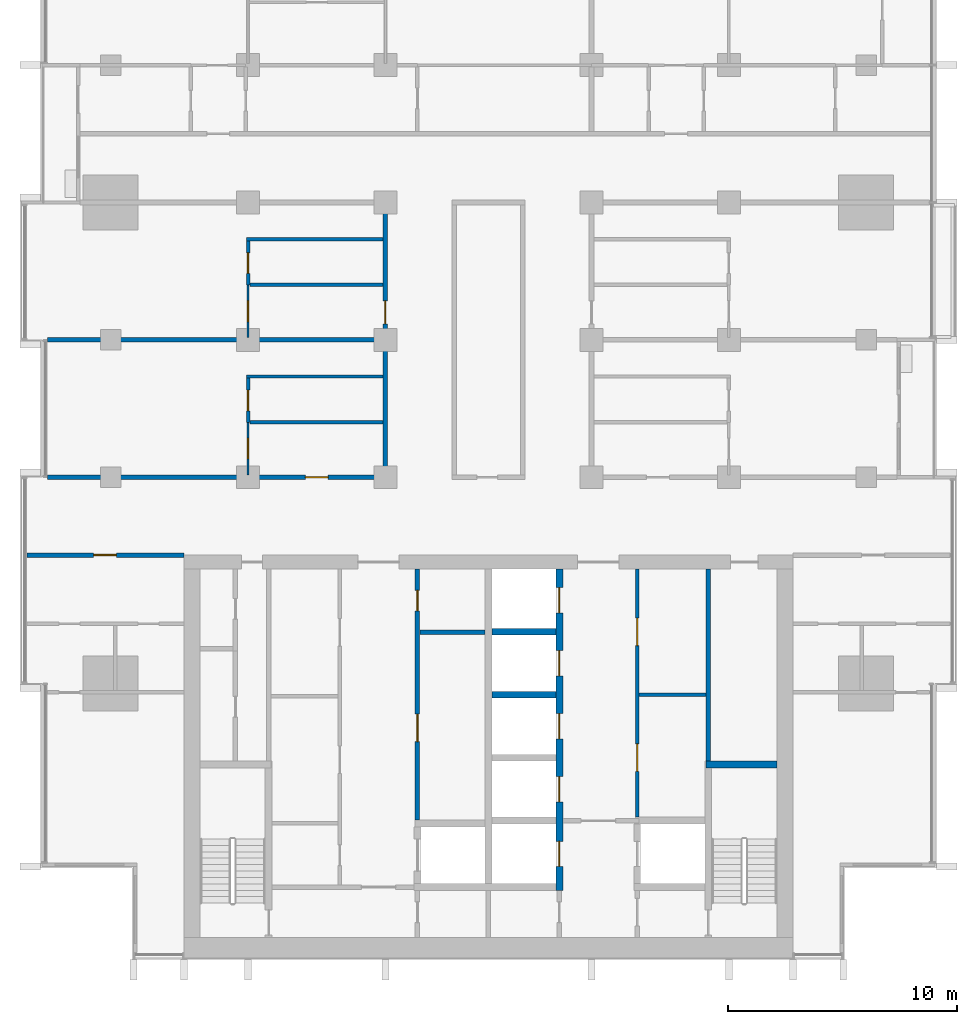
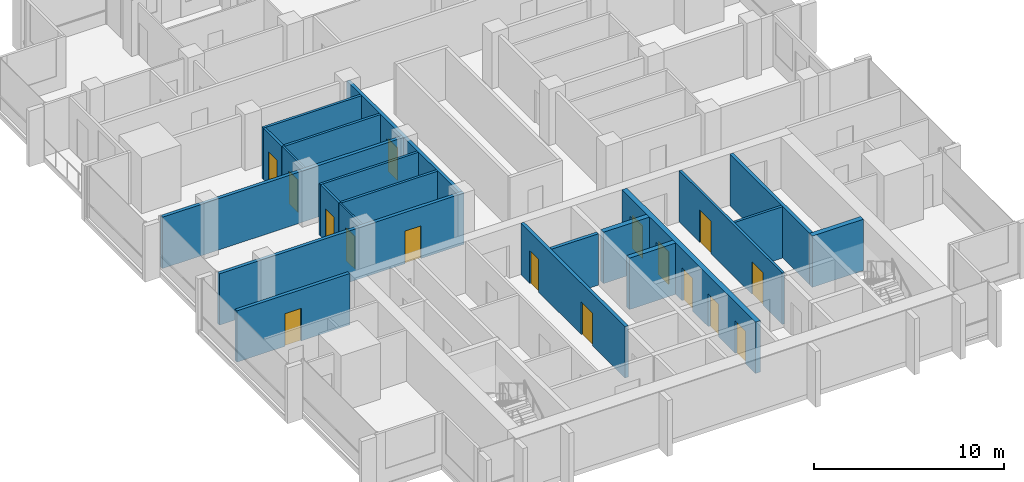
# One storey, part 8 of 16: 21 walls, 16 doors, 16 openings.
"""IFC4 building model written with IfcOpenShell, lengths in metres."""

from ifc_helpers import new_model, si_unit, direction, frame, frame_2d, origin, place, context, subcontext, project, spatial, rectangle, extrude, material, layer, layer_set, type_object, element, fill, save


model = new_model("IFC4")

# Units and contexts
model_context = context("Model", 3, precision=1e-05, world=origin(), true_north=direction((0.0, 1.0)))
body_context = subcontext(model_context, "Body", "Model", "MODEL_VIEW")
ifc_project = project(units=[si_unit("LENGTHUNIT", "METRE"), si_unit("AREAUNIT", "SQUARE_METRE"), si_unit("VOLUMEUNIT", "CUBIC_METRE"), si_unit("PLANEANGLEUNIT", "RADIAN"), si_unit("MASSUNIT", "GRAM", prefix="KILO")], contexts=[model_context])

# Site, building, storey
site_placement = place(None, origin())
site = spatial("IfcSite", under=ifc_project, at=site_placement, CompositionType="ELEMENT")
building_placement = place(site_placement, origin())
building = spatial("IfcBuilding", under=site, at=building_placement, Name="Finial Court Residences", CompositionType="ELEMENT")
storey_placement = place(building_placement, frame((0.0, 0.0, 163.699951171875)))
storey = spatial("IfcBuildingStorey", under=building, at=storey_placement, Name="L40", CompositionType="ELEMENT", Elevation=163.699951171875)

# Walls
ifc_material_1 = material(Name="Gypsum board")
ifc_layer_1 = layer(ifc_material_1, 0.02490234375)
ifc_material_2 = material(Name="Acoustic mineral wool in double frame")
ifc_layer_2 = layer(ifc_material_2, 0.14990234375)
ifc_layer_3 = layer(ifc_material_1, 0.02490234375)
ifc_layer_set_1 = layer_set([ifc_layer_1, ifc_layer_2, ifc_layer_3], Name="Acoustic party wall 200, 1 hour")
wall_type_1 = type_object("IfcWallType", Name="Acoustic party wall 200, 1 hour", PredefinedType="PARTITIONING", material=ifc_layer_set_1)
wall_1_placement = place(storey_placement, frame((-19.262451171875, 1.5, 0.0), z_axis=(0.0, 0.0, 1.0), x_axis=(1.0, 0.0, 0.0)))
element("IfcWall", 1, at=wall_1_placement, inside=storey, type_object=wall_type_1, Name="Partition L40-013", PredefinedType="PARTITIONING", context=body_context, shape_type="SweptSolid", body=[
    extrude(rectangle(XDim=14.662353515625, YDim=0.199951171875, at=frame_2d((7.3310546875, 0.0))), origin(), (0.0, 0.0, 1.0), 3.300048828125),
])
ifc_material_3 = material(Name="Fire-rated gypsum board partition")
ifc_layer_4 = layer(ifc_material_3, 0.14990234375)
ifc_layer_set_2 = layer_set([ifc_layer_4], Name="Core room partition 150 EI 60")
wall_type_2 = type_object("IfcWallType", Name="Core room partition 150 EI 60", PredefinedType="PARTITIONING", material=ifc_layer_set_2)
wall_2_placement = place(storey_placement, frame((6.574951171875, -14.0, 0.0), z_axis=(0.0, 0.0, 1.0), x_axis=(1.0, 0.0, 0.0)))
element("IfcWall", 2, at=wall_2_placement, inside=storey, type_object=wall_type_2, Name="Core partition L40-14", PredefinedType="PARTITIONING", context=body_context, shape_type="SweptSolid", body=[
    extrude(rectangle(XDim=2.925048828125, YDim=0.14990234375, at=frame_2d((1.46240234375, 0.0))), origin(), (0.0, 0.0, 1.0), 3.300048828125),
])

# Wall, openings, doors
wall_3_placement = place(storey_placement, frame((6.5, -8.5, 0.0), z_axis=(0.0, 0.0, 1.0), x_axis=(0.0, -1.0, 0.0)))
wall_3 = element("IfcWall", 3, at=wall_3_placement, inside=storey, type_object=wall_type_2, Name="Core partition L40-32", PredefinedType="PARTITIONING", context=body_context, shape_type="SweptSolid", body=[
    extrude(rectangle(XDim=10.85009765625, YDim=0.14990234375, at=frame_2d((5.425048828125, 0.0))), origin(), (0.0, 0.0, 1.0), 3.300048828125),
])
opening_1_placement = place(wall_3_placement, frame((7.64990234375, 0.0, 0.0)))
opening_1 = element("IfcOpeningElement", 4, at=opening_1_placement, cuts=wall_3, Name="Opening L40-C17", PredefinedType="OPENING", context=body_context, shape_type="SweptSolid", body=[
    extrude(rectangle(XDim=1.199951171875, YDim=2.10009765625, at=frame_2d((0.60009765625, 1.050048828125))), frame((0.0, 0.0849609375, 0.0), z_axis=(0.0, -1.0, 0.0), x_axis=(1.0, 0.0, 0.0)), (0.0, 0.0, 1.0), 0.169921875),
])
opening_2_placement = place(wall_3_placement, frame((2.14990234375, 0.0, 0.0)))
opening_2 = element("IfcOpeningElement", 5, at=opening_2_placement, cuts=wall_3, Name="Opening L40-C18", PredefinedType="OPENING", context=body_context, shape_type="SweptSolid", body=[
    extrude(rectangle(XDim=1.199951171875, YDim=2.10009765625, at=frame_2d((0.60009765625, 1.050048828125))), frame((0.0, 0.0849609375, 0.0), z_axis=(0.0, -1.0, 0.0), x_axis=(1.0, 0.0, 0.0)), (0.0, 0.0, 1.0), 0.169921875),
])
ifc_material_4 = material(Name="Steel fire door", Category="steel")
door_type_1 = type_object("IfcDoorType", Name="Core room door 1200 x 2100 EI 60", OperationType="NOTDEFINED", PredefinedType="DOOR", material=ifc_material_4)
door_1_placement = place(opening_1_placement, origin())
door_1 = element("IfcDoor", 6, at=door_1_placement, inside=storey, type_object=door_type_1, Name="Core room door L40-C17", OperationType="SINGLE_SWING_RIGHT", OverallHeight=2.10009765625, OverallWidth=1.199951171875, PredefinedType="DOOR", context=body_context, shape_type="SweptSolid", body=[
    extrude(rectangle(XDim=1.199951171875, YDim=2.10009765625, at=frame_2d((0.60009765625, 1.050048828125))), frame((0.0, 0.02490234375, 0.0), z_axis=(0.0, -1.0, 0.0), x_axis=(1.0, 0.0, 0.0)), (0.0, 0.0, 1.0), 0.050048828125),
])
fill(opening_1, door_1)
door_2_placement = place(opening_2_placement, origin())
door_2 = element("IfcDoor", 7, at=door_2_placement, inside=storey, type_object=door_type_1, Name="Core room door L40-C18", OperationType="SINGLE_SWING_RIGHT", OverallHeight=2.10009765625, OverallWidth=1.199951171875, PredefinedType="DOOR", context=body_context, shape_type="SweptSolid", body=[
    extrude(rectangle(XDim=1.199951171875, YDim=2.10009765625, at=frame_2d((0.60009765625, 1.050048828125))), frame((0.0, 0.02490234375, 0.0), z_axis=(0.0, -1.0, 0.0), x_axis=(1.0, 0.0, 0.0)), (0.0, 0.0, 1.0), 0.050048828125),
])
fill(opening_2, door_2)

# Wall, opening, door
ifc_layer_5 = layer(ifc_material_1, 0.02490234375)
ifc_layer_6 = layer(ifc_material_2, 0.14990234375)
ifc_layer_7 = layer(ifc_material_1, 0.02490234375)
ifc_layer_set_3 = layer_set([ifc_layer_5, ifc_layer_6, ifc_layer_7], Name="Corridor wall 200, 1 hour")
wall_type_3 = type_object("IfcWallType", Name="Corridor wall 200, 1 hour", PredefinedType="PARTITIONING", material=ifc_layer_set_3)
wall_4_placement = place(storey_placement, frame((-20.16259765625, -7.89990234375, 0.0), z_axis=(0.0, 0.0, 1.0), x_axis=(1.0, 0.0, 0.0)))
wall_4 = element("IfcWall", 8, at=wall_4_placement, inside=storey, type_object=wall_type_3, Name="Partition L40-004", PredefinedType="PARTITIONING", context=body_context, shape_type="SweptSolid", body=[
    extrude(rectangle(XDim=6.862548828125, YDim=0.199951171875, at=frame_2d((3.43115234375, 0.0))), origin(), (0.0, 0.0, 1.0), 3.300048828125),
])
opening_3_placement = place(wall_4_placement, frame((2.9130859375, 0.0, 0.0)))
opening_3 = element("IfcOpeningElement", 9, at=opening_3_placement, cuts=wall_4, Name="Opening L40-D007", PredefinedType="OPENING", context=body_context, shape_type="SweptSolid", body=[
    extrude(rectangle(XDim=1.0, YDim=2.10009765625, at=frame_2d((0.5, 1.050048828125))), frame((0.0, 0.10986328125, 0.0), z_axis=(0.0, -1.0, 0.0), x_axis=(1.0, 0.0, 0.0)), (0.0, 0.0, 1.0), 0.219970703125),
])
ifc_material_5 = material(Name="Timber door leaf in hollow metal frame", Category="wood")
door_type_2 = type_object("IfcDoorType", Name="Fire door set 1000 x 2100, 30 minutes", OperationType="SINGLE_SWING_LEFT", PredefinedType="DOOR", material=ifc_material_5)
door_3_placement = place(opening_3_placement, origin())
door_3 = element("IfcDoor", 10, at=door_3_placement, inside=storey, type_object=door_type_2, Name="Door L40-D007", OperationType="SINGLE_SWING_RIGHT", OverallHeight=2.10009765625, OverallWidth=1.0, PredefinedType="DOOR", context=body_context, shape_type="SweptSolid", body=[
    extrude(rectangle(XDim=1.0, YDim=2.10009765625, at=frame_2d((0.5, 1.050048828125))), frame((0.0, 0.02490234375, 0.0), z_axis=(0.0, -1.0, 0.0), x_axis=(1.0, 0.0, 0.0)), (0.0, 0.0, 1.0), 0.050048828125),
])
fill(opening_3, door_3)

wall_5_placement = place(storey_placement, frame((-19.262451171875, -4.5, 0.0), z_axis=(0.0, 0.0, 1.0), x_axis=(1.0, 0.0, 0.0)))
wall_5 = element("IfcWall", 11, at=wall_5_placement, inside=storey, type_object=wall_type_3, Name="Partition L40-006", PredefinedType="PARTITIONING", context=body_context, shape_type="SweptSolid", body=[
    extrude(rectangle(XDim=14.862548828125, YDim=0.199951171875, at=frame_2d((7.43115234375, 0.0))), origin(), (0.0, 0.0, 1.0), 3.300048828125),
])
opening_4_placement = place(wall_5_placement, frame((11.261962890625, 0.0, 0.0)))
opening_4 = element("IfcOpeningElement", 12, at=opening_4_placement, cuts=wall_5, Name="Opening L40-D009", PredefinedType="OPENING", context=body_context, shape_type="SweptSolid", body=[
    extrude(rectangle(XDim=1.0, YDim=2.10009765625, at=frame_2d((0.5, 1.050048828125))), frame((0.0, 0.10986328125, 0.0), z_axis=(0.0, -1.0, 0.0), x_axis=(1.0, 0.0, 0.0)), (0.0, 0.0, 1.0), 0.219970703125),
])
door_4_placement = place(opening_4_placement, origin())
door_4 = element("IfcDoor", 13, at=door_4_placement, inside=storey, type_object=door_type_2, Name="Door L40-D009", OperationType="SINGLE_SWING_LEFT", OverallHeight=2.10009765625, OverallWidth=1.0, PredefinedType="DOOR", context=body_context, shape_type="SweptSolid", body=[
    extrude(rectangle(XDim=1.0, YDim=2.10009765625, at=frame_2d((0.5, 1.050048828125))), frame((0.0, 0.02490234375, 0.0), z_axis=(0.0, -1.0, 0.0), x_axis=(1.0, 0.0, 0.0)), (0.0, 0.0, 1.0), 0.050048828125),
])
fill(opening_4, door_4)

wall_6_placement = place(storey_placement, frame((-4.5, -4.39990234375, 0.0), z_axis=(0.0, 0.0, 1.0), x_axis=(0.0, 1.0, 0.0)))
wall_6 = element("IfcWall", 14, at=wall_6_placement, inside=storey, type_object=wall_type_3, Name="Partition L40-042", PredefinedType="PARTITIONING", context=body_context, shape_type="SweptSolid", body=[
    extrude(rectangle(XDim=11.7998046875, YDim=0.199951171875, at=frame_2d((5.89990234375, 0.0))), origin(), (0.0, 0.0, 1.0), 3.300048828125),
])
opening_5_placement = place(wall_6_placement, frame((6.60009765625, 0.0, 0.0)))
opening_5 = element("IfcOpeningElement", 15, at=opening_5_placement, cuts=wall_6, Name="Opening L40-D025", PredefinedType="OPENING", context=body_context, shape_type="SweptSolid", body=[
    extrude(rectangle(XDim=1.0, YDim=2.10009765625, at=frame_2d((0.5, 1.050048828125))), frame((0.0, 0.10986328125, 0.0), z_axis=(0.0, -1.0, 0.0), x_axis=(1.0, 0.0, 0.0)), (0.0, 0.0, 1.0), 0.219970703125),
])
door_5_placement = place(opening_5_placement, origin())
door_5 = element("IfcDoor", 16, at=door_5_placement, inside=storey, type_object=door_type_2, Name="Door L40-D025", OperationType="SINGLE_SWING_LEFT", OverallHeight=2.10009765625, OverallWidth=1.0, PredefinedType="DOOR", context=body_context, shape_type="SweptSolid", body=[
    extrude(rectangle(XDim=1.0, YDim=2.10009765625, at=frame_2d((0.5, 1.050048828125))), frame((0.0, 0.02490234375, 0.0), z_axis=(0.0, -1.0, 0.0), x_axis=(1.0, 0.0, 0.0)), (0.0, 0.0, 1.0), 0.050048828125),
])
fill(opening_5, door_5)

ifc_layer_8 = layer(ifc_material_1, 0.012451171875)
ifc_material_6 = material(Name="Mineral wool in light-gauge frame")
ifc_layer_9 = layer(ifc_material_6, 0.074951171875)
ifc_layer_10 = layer(ifc_material_1, 0.012451171875)
ifc_layer_set_4 = layer_set([ifc_layer_8, ifc_layer_9, ifc_layer_10], Name="Gypsum board partition 100")
wall_type_4 = type_object("IfcWallType", Name="Gypsum board partition 100", PredefinedType="PARTITIONING", material=ifc_layer_set_4)
wall_7_placement = place(storey_placement, frame((-10.5, -4.39990234375, 0.0), z_axis=(0.0, 0.0, 1.0), x_axis=(0.0, 1.0, 0.0)))
wall_7 = element("IfcWall", 17, at=wall_7_placement, inside=storey, type_object=wall_type_4, Name="Partition L40-037", PredefinedType="PARTITIONING", context=body_context, shape_type="SweptSolid", body=[
    extrude(rectangle(XDim=2.2998046875, YDim=0.10009765625, at=frame_2d((1.14990234375, 0.0))), origin(), (0.0, 0.0, 1.0), 3.300048828125),
])
opening_6_placement = place(wall_7_placement, frame((0.699951171875, 0.0, 0.0)))
opening_6 = element("IfcOpeningElement", 18, at=opening_6_placement, cuts=wall_7, Name="Opening L40-D020", PredefinedType="OPENING", context=body_context, shape_type="SweptSolid", body=[
    extrude(rectangle(XDim=0.89990234375, YDim=2.10009765625, at=frame_2d((0.449951171875, 1.050048828125))), frame((0.0, 0.06005859375, 0.0), z_axis=(0.0, -1.0, 0.0), x_axis=(1.0, 0.0, 0.0)), (0.0, 0.0, 1.0), 0.1201171875),
])
ifc_material_7 = material(Name="Timber door leaf in timber frame", Category="wood")
door_type_3 = type_object("IfcDoorType", Name="Door set 900 x 2100", OperationType="SINGLE_SWING_LEFT", PredefinedType="DOOR", material=ifc_material_7)
door_6_placement = place(opening_6_placement, origin())
door_6 = element("IfcDoor", 19, at=door_6_placement, inside=storey, type_object=door_type_3, Name="Door L40-D020", OperationType="SINGLE_SWING_RIGHT", OverallHeight=2.10009765625, OverallWidth=0.89990234375, PredefinedType="DOOR", context=body_context, shape_type="SweptSolid", body=[
    extrude(rectangle(XDim=0.89990234375, YDim=2.10009765625, at=frame_2d((0.449951171875, 1.050048828125))), frame((0.0, 0.02490234375, 0.0), z_axis=(0.0, -1.0, 0.0), x_axis=(1.0, 0.0, 0.0)), (0.0, 0.0, 1.0), 0.050048828125),
])
fill(opening_6, door_6)

wall_8_placement = place(storey_placement, frame((-10.5, 1.60009765625, 0.0), z_axis=(0.0, 0.0, 1.0), x_axis=(0.0, 1.0, 0.0)))
wall_8 = element("IfcWall", 20, at=wall_8_placement, inside=storey, type_object=wall_type_4, Name="Partition L40-038", PredefinedType="PARTITIONING", context=body_context, shape_type="SweptSolid", body=[
    extrude(rectangle(XDim=2.2998046875, YDim=0.10009765625, at=frame_2d((1.14990234375, 0.0))), origin(), (0.0, 0.0, 1.0), 3.300048828125),
])
opening_7_placement = place(wall_8_placement, frame((0.699951171875, 0.0, 0.0)))
opening_7 = element("IfcOpeningElement", 21, at=opening_7_placement, cuts=wall_8, Name="Opening L40-D021", PredefinedType="OPENING", context=body_context, shape_type="SweptSolid", body=[
    extrude(rectangle(XDim=0.89990234375, YDim=2.10009765625, at=frame_2d((0.449951171875, 1.050048828125))), frame((0.0, 0.06005859375, 0.0), z_axis=(0.0, -1.0, 0.0), x_axis=(1.0, 0.0, 0.0)), (0.0, 0.0, 1.0), 0.1201171875),
])
door_7_placement = place(opening_7_placement, origin())
door_7 = element("IfcDoor", 22, at=door_7_placement, inside=storey, type_object=door_type_3, Name="Door L40-D021", OperationType="SINGLE_SWING_RIGHT", OverallHeight=2.10009765625, OverallWidth=0.89990234375, PredefinedType="DOOR", context=body_context, shape_type="SweptSolid", body=[
    extrude(rectangle(XDim=0.89990234375, YDim=2.10009765625, at=frame_2d((0.449951171875, 1.050048828125))), frame((0.0, 0.02490234375, 0.0), z_axis=(0.0, -1.0, 0.0), x_axis=(1.0, 0.0, 0.0)), (0.0, 0.0, 1.0), 0.050048828125),
])
fill(opening_7, door_7)

# Walls
ifc_material_8 = material(Name="Moisture-resistant gypsum board")
ifc_layer_11 = layer(ifc_material_8, 0.012451171875)
ifc_layer_12 = layer(ifc_material_6, 0.125)
ifc_layer_13 = layer(ifc_material_8, 0.012451171875)
ifc_layer_set_5 = layer_set([ifc_layer_11, ifc_layer_12, ifc_layer_13], Name="Gypsum board wet-area partition 150")
wall_type_5 = type_object("IfcWallType", Name="Gypsum board wet-area partition 150", PredefinedType="PARTITIONING", material=ifc_layer_set_5)
wall_9_placement = place(storey_placement, frame((-10.425048828125, -2.10009765625, 0.0), z_axis=(0.0, 0.0, 1.0), x_axis=(1.0, 0.0, 0.0)))
element("IfcWall", 23, at=wall_9_placement, inside=storey, type_object=wall_type_5, Name="Partition L40-009", PredefinedType="PARTITIONING", context=body_context, shape_type="SweptSolid", body=[
    extrude(rectangle(XDim=5.824951171875, YDim=0.14990234375, at=frame_2d((2.91259765625, 0.0))), origin(), (0.0, 0.0, 1.0), 3.300048828125),
])
wall_10_placement = place(storey_placement, frame((-10.574951171875, -0.10009765625, 0.0), z_axis=(0.0, 0.0, 1.0), x_axis=(1.0, 0.0, 0.0)))
element("IfcWall", 24, at=wall_10_placement, inside=storey, type_object=wall_type_5, Name="Partition L40-011", PredefinedType="PARTITIONING", context=body_context, shape_type="SweptSolid", body=[
    extrude(rectangle(XDim=5.974853515625, YDim=0.14990234375, at=frame_2d((2.9873046875, 0.0))), origin(), (0.0, 0.0, 1.0), 3.300048828125),
])
wall_11_placement = place(storey_placement, frame((-10.425048828125, 3.89990234375, 0.0), z_axis=(0.0, 0.0, 1.0), x_axis=(1.0, 0.0, 0.0)))
element("IfcWall", 25, at=wall_11_placement, inside=storey, type_object=wall_type_5, Name="Partition L40-015", PredefinedType="PARTITIONING", context=body_context, shape_type="SweptSolid", body=[
    extrude(rectangle(XDim=5.824951171875, YDim=0.14990234375, at=frame_2d((2.91259765625, 0.0))), origin(), (0.0, 0.0, 1.0), 3.300048828125),
])
wall_12_placement = place(storey_placement, frame((-10.574951171875, 5.89990234375, 0.0), z_axis=(0.0, 0.0, 1.0), x_axis=(1.0, 0.0, 0.0)))
element("IfcWall", 26, at=wall_12_placement, inside=storey, type_object=wall_type_5, Name="Partition L40-017", PredefinedType="PARTITIONING", context=body_context, shape_type="SweptSolid", body=[
    extrude(rectangle(XDim=5.974853515625, YDim=0.14990234375, at=frame_2d((2.9873046875, 0.0))), origin(), (0.0, 0.0, 1.0), 3.300048828125),
])

# Wall, opening, door
wall_13_placement = place(storey_placement, frame((-10.5, -2.10009765625, 0.0), z_axis=(0.0, 0.0, 1.0), x_axis=(0.0, 1.0, 0.0)))
wall_13 = element("IfcWall", 27, at=wall_13_placement, inside=storey, type_object=wall_type_5, Name="Partition L40-040", PredefinedType="PARTITIONING", context=body_context, shape_type="SweptSolid", body=[
    extrude(rectangle(XDim=1.925048828125, YDim=0.14990234375, at=frame_2d((0.96240234375, 0.0))), origin(), (0.0, 0.0, 1.0), 3.300048828125),
])
opening_8_placement = place(wall_13_placement, frame((0.5, 0.0, 0.0)))
opening_8 = element("IfcOpeningElement", 28, at=opening_8_placement, cuts=wall_13, Name="Opening L40-D023", PredefinedType="OPENING", context=body_context, shape_type="SweptSolid", body=[
    extrude(rectangle(XDim=0.89990234375, YDim=2.10009765625, at=frame_2d((0.449951171875, 1.050048828125))), frame((0.0, 0.0849609375, 0.0), z_axis=(0.0, -1.0, 0.0), x_axis=(1.0, 0.0, 0.0)), (0.0, 0.0, 1.0), 0.169921875),
])
door_8_placement = place(opening_8_placement, origin())
door_8 = element("IfcDoor", 29, at=door_8_placement, inside=storey, type_object=door_type_3, Name="Door L40-D023", OperationType="SINGLE_SWING_RIGHT", OverallHeight=2.10009765625, OverallWidth=0.89990234375, PredefinedType="DOOR", context=body_context, shape_type="SweptSolid", body=[
    extrude(rectangle(XDim=0.89990234375, YDim=2.10009765625, at=frame_2d((0.449951171875, 1.050048828125))), frame((0.0, 0.02490234375, 0.0), z_axis=(0.0, -1.0, 0.0), x_axis=(1.0, 0.0, 0.0)), (0.0, 0.0, 1.0), 0.050048828125),
])
fill(opening_8, door_8)

wall_14_placement = place(storey_placement, frame((-10.5, 3.89990234375, 0.0), z_axis=(0.0, 0.0, 1.0), x_axis=(0.0, 1.0, 0.0)))
wall_14 = element("IfcWall", 30, at=wall_14_placement, inside=storey, type_object=wall_type_5, Name="Partition L40-041", PredefinedType="PARTITIONING", context=body_context, shape_type="SweptSolid", body=[
    extrude(rectangle(XDim=1.925048828125, YDim=0.14990234375, at=frame_2d((0.96240234375, 0.0))), origin(), (0.0, 0.0, 1.0), 3.300048828125),
])
opening_9_placement = place(wall_14_placement, frame((0.5, 0.0, 0.0)))
opening_9 = element("IfcOpeningElement", 31, at=opening_9_placement, cuts=wall_14, Name="Opening L40-D024", PredefinedType="OPENING", context=body_context, shape_type="SweptSolid", body=[
    extrude(rectangle(XDim=0.89990234375, YDim=2.10009765625, at=frame_2d((0.449951171875, 1.050048828125))), frame((0.0, 0.0849609375, 0.0), z_axis=(0.0, -1.0, 0.0), x_axis=(1.0, 0.0, 0.0)), (0.0, 0.0, 1.0), 0.169921875),
])
door_9_placement = place(opening_9_placement, origin())
door_9 = element("IfcDoor", 32, at=door_9_placement, inside=storey, type_object=door_type_3, Name="Door L40-D024", OperationType="SINGLE_SWING_RIGHT", OverallHeight=2.10009765625, OverallWidth=0.89990234375, PredefinedType="DOOR", context=body_context, shape_type="SweptSolid", body=[
    extrude(rectangle(XDim=0.89990234375, YDim=2.10009765625, at=frame_2d((0.449951171875, 1.050048828125))), frame((0.0, 0.02490234375, 0.0), z_axis=(0.0, -1.0, 0.0), x_axis=(1.0, 0.0, 0.0)), (0.0, 0.0, 1.0), 0.050048828125),
])
fill(opening_9, door_9)

# Walls
ifc_material_9 = material(Name="Concrete C70/85", Category="concrete")
ifc_layer_14 = layer(ifc_material_9, 0.300048828125)
ifc_layer_set_6 = layer_set([ifc_layer_14], Name="Lift shaft and stair wall 300 Concrete C70/85")
wall_type_6 = type_object("IfcWallType", Name="Lift shaft and stair wall 300 Concrete C70/85", PredefinedType="SHEAR", material=ifc_layer_set_6)
wall_15_placement = place(storey_placement, frame((9.5, -17.050048828125, 0.0), z_axis=(0.0, 0.0, 1.0), x_axis=(1.0, 0.0, 0.0)))
element("IfcWall", 33, at=wall_15_placement, inside=storey, type_object=wall_type_6, Name="Core wall L40-10", PredefinedType="SHEAR", context=body_context, shape_type="SweptSolid", body=[
    extrude(rectangle(XDim=3.10009765625, YDim=0.300048828125, at=frame_2d((1.550048828125, 0.0))), origin(), (0.0, 0.0, 1.0), 3.300048828125),
])
for number, where, z_axis, x_axis, name in (
    (34, (0.14990234375, -14.0, 0.0), (0.0, 0.0, 1.0), (1.0, 0.0, 0.0), "Core wall L40-13"),
    (35, (0.14990234375, -11.25, 0.0), (0.0, 0.0, 1.0), (1.0, 0.0, 0.0), "Core wall L40-17"),
):
    element("IfcWall", number, at=place(storey_placement, frame(where, z_axis=z_axis, x_axis=x_axis)), inside=storey, type_object=wall_type_6, Name=name, PredefinedType="SHEAR", context=body_context, shape_type="SweptSolid", body=[
        extrude(rectangle(XDim=2.800048828125, YDim=0.300048828125, at=frame_2d((1.39990234375, 0.0))), origin(), (0.0, 0.0, 1.0), 3.300048828125),
    ])

# Wall, openings, doors
wall_16_placement = place(storey_placement, frame((3.10009765625, -22.550048828125, 0.0), z_axis=(0.0, 0.0, 1.0), x_axis=(0.0, 1.0, 0.0)))
wall_16 = element("IfcWall", 36, at=wall_16_placement, inside=storey, type_object=wall_type_6, Name="Core wall L40-29", PredefinedType="SHEAR", context=body_context, shape_type="SweptSolid", body=[
    extrude(rectangle(XDim=14.050048828125, YDim=0.300048828125, at=frame_2d((7.02490234375, 0.0))), origin(), (0.0, 0.0, 1.0), 3.300048828125),
])
opening_10_placement = place(wall_16_placement, frame((1.050048828125, 0.0, 0.0)))
opening_10 = element("IfcOpeningElement", 37, at=opening_10_placement, cuts=wall_16, Name="Opening L40-LD01", PredefinedType="OPENING", context=body_context, shape_type="SweptSolid", body=[
    extrude(rectangle(XDim=1.10009765625, YDim=2.10009765625, at=frame_2d((0.550048828125, 1.050048828125))), frame((0.0, 0.159912109375, 0.0), z_axis=(0.0, -1.0, 0.0), x_axis=(1.0, 0.0, 0.0)), (0.0, 0.0, 1.0), 0.320068359375),
])
opening_11_placement = place(wall_16_placement, frame((3.875, 0.0, 0.0)))
opening_11 = element("IfcOpeningElement", 38, at=opening_11_placement, cuts=wall_16, Name="Opening L40-LD03", PredefinedType="OPENING", context=body_context, shape_type="SweptSolid", body=[
    extrude(rectangle(XDim=1.10009765625, YDim=2.10009765625, at=frame_2d((0.550048828125, 1.050048828125))), frame((0.0, 0.159912109375, 0.0), z_axis=(0.0, -1.0, 0.0), x_axis=(1.0, 0.0, 0.0)), (0.0, 0.0, 1.0), 0.320068359375),
])
opening_12_placement = place(wall_16_placement, frame((6.625, 0.0, 0.0)))
opening_12 = element("IfcOpeningElement", 39, at=opening_12_placement, cuts=wall_16, Name="Opening L40-LD04", PredefinedType="OPENING", context=body_context, shape_type="SweptSolid", body=[
    extrude(rectangle(XDim=1.10009765625, YDim=2.10009765625, at=frame_2d((0.550048828125, 1.050048828125))), frame((0.0, 0.159912109375, 0.0), z_axis=(0.0, -1.0, 0.0), x_axis=(1.0, 0.0, 0.0)), (0.0, 0.0, 1.0), 0.320068359375),
])
opening_13_placement = place(wall_16_placement, frame((9.375, 0.0, 0.0)))
opening_13 = element("IfcOpeningElement", 40, at=opening_13_placement, cuts=wall_16, Name="Opening L40-LD05", PredefinedType="OPENING", context=body_context, shape_type="SweptSolid", body=[
    extrude(rectangle(XDim=1.10009765625, YDim=2.10009765625, at=frame_2d((0.550048828125, 1.050048828125))), frame((0.0, 0.159912109375, 0.0), z_axis=(0.0, -1.0, 0.0), x_axis=(1.0, 0.0, 0.0)), (0.0, 0.0, 1.0), 0.320068359375),
])
opening_14_placement = place(wall_16_placement, frame((12.125, 0.0, 0.0)))
opening_14 = element("IfcOpeningElement", 41, at=opening_14_placement, cuts=wall_16, Name="Opening L40-LD06", PredefinedType="OPENING", context=body_context, shape_type="SweptSolid", body=[
    extrude(rectangle(XDim=1.10009765625, YDim=2.10009765625, at=frame_2d((0.550048828125, 1.050048828125))), frame((0.0, 0.159912109375, 0.0), z_axis=(0.0, -1.0, 0.0), x_axis=(1.0, 0.0, 0.0)), (0.0, 0.0, 1.0), 0.320068359375),
])
ifc_material_10 = material(Name="Stainless steel lift door", Category="steel")
door_type_4 = type_object("IfcDoorType", Name="Lift landing door 1100 x 2100 EI 90", OperationType="DOUBLE_DOOR_SLIDING", PredefinedType="DOOR", material=ifc_material_10)
door_10_placement = place(opening_10_placement, origin())
door_10 = element("IfcDoor", 42, at=door_10_placement, inside=storey, type_object=door_type_4, Name="Lift landing door FF1 L40", OperationType="DOUBLE_DOOR_SLIDING", OverallHeight=2.10009765625, OverallWidth=1.10009765625, PredefinedType="DOOR", context=body_context, shape_type="SweptSolid", body=[
    extrude(rectangle(XDim=1.10009765625, YDim=2.10009765625, at=frame_2d((0.550048828125, 1.050048828125))), frame((0.0, 0.02490234375, 0.0), z_axis=(0.0, -1.0, 0.0), x_axis=(1.0, 0.0, 0.0)), (0.0, 0.0, 1.0), 0.050048828125),
])
fill(opening_10, door_10)
door_11_placement = place(opening_11_placement, origin())
door_11 = element("IfcDoor", 43, at=door_11_placement, inside=storey, type_object=door_type_4, Name="Lift landing door HR1 L40", OperationType="DOUBLE_DOOR_SLIDING", OverallHeight=2.10009765625, OverallWidth=1.10009765625, PredefinedType="DOOR", context=body_context, shape_type="SweptSolid", body=[
    extrude(rectangle(XDim=1.10009765625, YDim=2.10009765625, at=frame_2d((0.550048828125, 1.050048828125))), frame((0.0, 0.02490234375, 0.0), z_axis=(0.0, -1.0, 0.0), x_axis=(1.0, 0.0, 0.0)), (0.0, 0.0, 1.0), 0.050048828125),
])
fill(opening_11, door_11)
door_12_placement = place(opening_12_placement, origin())
door_12 = element("IfcDoor", 44, at=door_12_placement, inside=storey, type_object=door_type_4, Name="Lift landing door HR2 L40", OperationType="DOUBLE_DOOR_SLIDING", OverallHeight=2.10009765625, OverallWidth=1.10009765625, PredefinedType="DOOR", context=body_context, shape_type="SweptSolid", body=[
    extrude(rectangle(XDim=1.10009765625, YDim=2.10009765625, at=frame_2d((0.550048828125, 1.050048828125))), frame((0.0, 0.02490234375, 0.0), z_axis=(0.0, -1.0, 0.0), x_axis=(1.0, 0.0, 0.0)), (0.0, 0.0, 1.0), 0.050048828125),
])
fill(opening_12, door_12)
door_13_placement = place(opening_13_placement, origin())
door_13 = element("IfcDoor", 45, at=door_13_placement, inside=storey, type_object=door_type_4, Name="Lift landing door HR3 L40", OperationType="DOUBLE_DOOR_SLIDING", OverallHeight=2.10009765625, OverallWidth=1.10009765625, PredefinedType="DOOR", context=body_context, shape_type="SweptSolid", body=[
    extrude(rectangle(XDim=1.10009765625, YDim=2.10009765625, at=frame_2d((0.550048828125, 1.050048828125))), frame((0.0, 0.02490234375, 0.0), z_axis=(0.0, -1.0, 0.0), x_axis=(1.0, 0.0, 0.0)), (0.0, 0.0, 1.0), 0.050048828125),
])
fill(opening_13, door_13)
door_14_placement = place(opening_14_placement, origin())
door_14 = element("IfcDoor", 46, at=door_14_placement, inside=storey, type_object=door_type_4, Name="Lift landing door HR4 L40", OperationType="DOUBLE_DOOR_SLIDING", OverallHeight=2.10009765625, OverallWidth=1.10009765625, PredefinedType="DOOR", context=body_context, shape_type="SweptSolid", body=[
    extrude(rectangle(XDim=1.10009765625, YDim=2.10009765625, at=frame_2d((0.550048828125, 1.050048828125))), frame((0.0, 0.02490234375, 0.0), z_axis=(0.0, -1.0, 0.0), x_axis=(1.0, 0.0, 0.0)), (0.0, 0.0, 1.0), 0.050048828125),
])
fill(opening_14, door_14)

# Wall
ifc_layer_15 = layer(ifc_material_3, 0.199951171875)
ifc_layer_set_7 = layer_set([ifc_layer_15], Name="Riser room wall 200 EI 120")
wall_type_7 = type_object("IfcWallType", Name="Riser room wall 200 EI 120", PredefinedType="PARTITIONING", material=ifc_layer_set_7)
wall_17_placement = place(storey_placement, frame((-3.0, -11.280029296875, 0.0), z_axis=(0.0, 0.0, 1.0), x_axis=(1.0, 0.0, 0.0)))
element("IfcWall", 47, at=wall_17_placement, inside=storey, type_object=wall_type_7, Name="Core partition L40-16", PredefinedType="PARTITIONING", context=body_context, shape_type="SweptSolid", body=[
    extrude(rectangle(XDim=2.85009765625, YDim=0.199951171875, at=frame_2d((1.425048828125, 0.0))), origin(), (0.0, 0.0, 1.0), 3.300048828125),
])

# Wall, openings, doors
wall_18_placement = place(storey_placement, frame((-3.10009765625, -8.5, 0.0), z_axis=(0.0, 0.0, 1.0), x_axis=(0.0, -1.0, 0.0)))
wall_18 = element("IfcWall", 48, at=wall_18_placement, inside=storey, type_object=wall_type_7, Name="Core partition L40-25", PredefinedType="PARTITIONING", context=body_context, shape_type="SweptSolid", body=[
    extrude(rectangle(XDim=10.969970703125, YDim=0.199951171875, at=frame_2d((5.48486328125, 0.0))), origin(), (0.0, 0.0, 1.0), 3.300048828125),
])
opening_15_placement = place(wall_18_placement, frame((6.35009765625, 0.0, 0.0)))
opening_15 = element("IfcOpeningElement", 49, at=opening_15_placement, cuts=wall_18, Name="Opening L40-C08", PredefinedType="OPENING", context=body_context, shape_type="SweptSolid", body=[
    extrude(rectangle(XDim=1.199951171875, YDim=2.10009765625, at=frame_2d((0.60009765625, 1.050048828125))), frame((0.0, 0.10986328125, 0.0), z_axis=(0.0, -1.0, 0.0), x_axis=(1.0, 0.0, 0.0)), (0.0, 0.0, 1.0), 0.219970703125),
])
opening_16_placement = place(wall_18_placement, frame((0.93994140625, 0.0, 0.0)))
opening_16 = element("IfcOpeningElement", 50, at=opening_16_placement, cuts=wall_18, Name="Opening L40-C09", PredefinedType="OPENING", context=body_context, shape_type="SweptSolid", body=[
    extrude(rectangle(XDim=0.89990234375, YDim=2.10009765625, at=frame_2d((0.449951171875, 1.050048828125))), frame((0.0, 0.10986328125, 0.0), z_axis=(0.0, -1.0, 0.0), x_axis=(1.0, 0.0, 0.0)), (0.0, 0.0, 1.0), 0.219970703125),
])
door_type_5 = type_object("IfcDoorType", Name="Riser room door 1200 x 2100 EI 90", OperationType="NOTDEFINED", PredefinedType="DOOR", material=ifc_material_4)
door_15_placement = place(opening_15_placement, origin())
door_15 = element("IfcDoor", 51, at=door_15_placement, inside=storey, type_object=door_type_5, Name="Riser room door L40-C08", OperationType="SINGLE_SWING_RIGHT", OverallHeight=2.10009765625, OverallWidth=1.199951171875, PredefinedType="DOOR", context=body_context, shape_type="SweptSolid", body=[
    extrude(rectangle(XDim=1.199951171875, YDim=2.10009765625, at=frame_2d((0.60009765625, 1.050048828125))), frame((0.0, 0.02490234375, 0.0), z_axis=(0.0, -1.0, 0.0), x_axis=(1.0, 0.0, 0.0)), (0.0, 0.0, 1.0), 0.050048828125),
])
fill(opening_15, door_15)
door_type_6 = type_object("IfcDoorType", Name="Riser room door 900 x 2100 EI 90", OperationType="NOTDEFINED", PredefinedType="DOOR", material=ifc_material_4)
door_16_placement = place(opening_16_placement, origin())
door_16 = element("IfcDoor", 52, at=door_16_placement, inside=storey, type_object=door_type_6, Name="Riser room door L40-C09", OperationType="SINGLE_SWING_RIGHT", OverallHeight=2.10009765625, OverallWidth=0.89990234375, PredefinedType="DOOR", context=body_context, shape_type="SweptSolid", body=[
    extrude(rectangle(XDim=0.89990234375, YDim=2.10009765625, at=frame_2d((0.449951171875, 1.050048828125))), frame((0.0, 0.02490234375, 0.0), z_axis=(0.0, -1.0, 0.0), x_axis=(1.0, 0.0, 0.0)), (0.0, 0.0, 1.0), 0.050048828125),
])
fill(opening_16, door_16)

# Wall
wall_19_placement = place(storey_placement, frame((9.60009765625, -16.89990234375, 0.0), z_axis=(0.0, 0.0, 1.0), x_axis=(0.0, 1.0, 0.0)))
element("IfcWall", 53, at=wall_19_placement, inside=storey, type_object=wall_type_7, Name="Core partition L40-34", PredefinedType="PARTITIONING", context=body_context, shape_type="SweptSolid", body=[
    extrude(rectangle(XDim=8.39990234375, YDim=0.199951171875, at=frame_2d((4.199951171875, 0.0))), origin(), (0.0, 0.0, 1.0), 3.300048828125),
])

save(model, "model.ifc")
